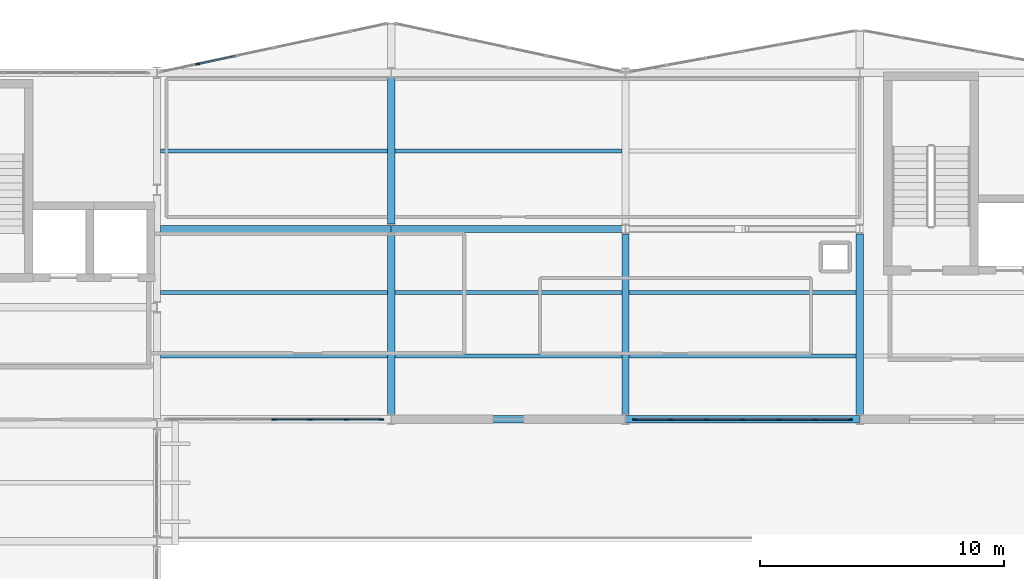
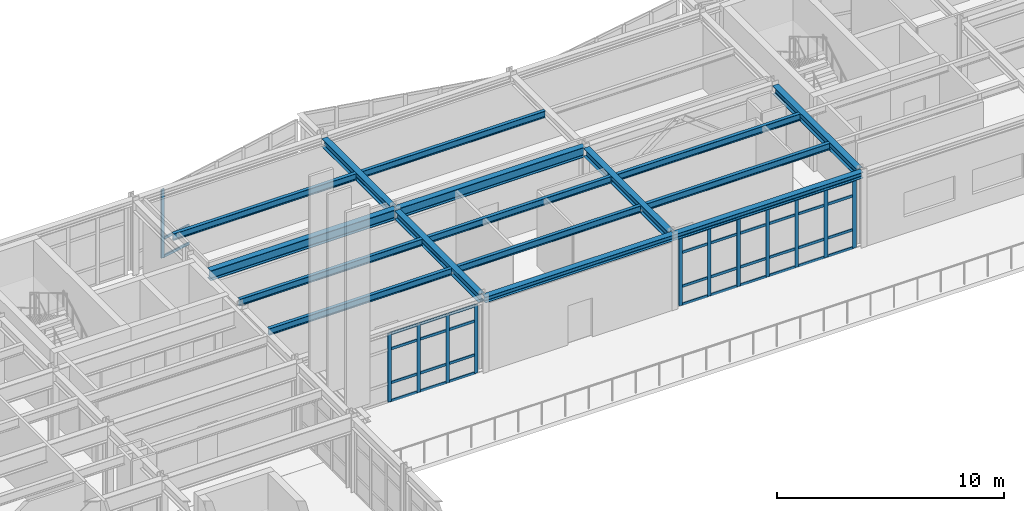
# One storey, part 22 of 47: 50 members, 16 beams, 3 elements without a shape of their own.
"""IFC4 building model written with IfcOpenShell, lengths in metres."""

from ifc_helpers import new_model, si_unit, direction, frame, origin, origin_2d, place, context, subcontext, project, spatial, rectangle, i_section, extrude, material, layer, layer_set, material_profile, profile_set, type_object, element, aggregate, save


model = new_model("IFC4")

# Units and contexts
model_context = context("Model", 3, precision=1e-05, world=origin(), true_north=direction((0.0, 1.0)))
body_context = subcontext(model_context, "Body", "Model", "MODEL_VIEW")
ifc_project = project(units=[si_unit("LENGTHUNIT", "METRE"), si_unit("AREAUNIT", "SQUARE_METRE"), si_unit("VOLUMEUNIT", "CUBIC_METRE"), si_unit("PLANEANGLEUNIT", "RADIAN"), si_unit("MASSUNIT", "GRAM", prefix="KILO")], contexts=[model_context])

# Site, building, storey
site_placement = place(None, origin())
site = spatial("IfcSite", under=ifc_project, at=site_placement, CompositionType="ELEMENT")
building_placement = place(site_placement, origin())
building = spatial("IfcBuilding", under=site, at=building_placement, Name="Nordkorset Police Headquarters", CompositionType="ELEMENT")
storey_placement = place(building_placement, frame((0.0, 0.0, 22.050048828125)))
storey = spatial("IfcBuildingStorey", under=building, at=storey_placement, Name="L05", CompositionType="ELEMENT", Elevation=22.050048828125)

# Beams
ifc_material_1 = material(Name="Steel S355J2", Category="steel")
ifc_material_profile_1 = material_profile(ifc_material_1, i_section(OverallWidth=0.169921875, OverallDepth=0.360107421875, WebThickness=0.008056640625, FlangeThickness=0.0126953125, FilletRadius=0.01806640625, at=origin_2d()), Name="IPE 360")
ifc_profile_set_1 = profile_set([ifc_material_profile_1], Name="Steel S355J2")
beam_type_1 = type_object("IfcBeamType", Name="Beam_IPE_360", PredefinedType="BEAM", material=ifc_profile_set_1)
for number, where, z_axis, x_axis, name in (
    (1, (28.949951171875, 105.199951171875, 3.820068359375), (1.0, 0.0, 0.0), (0.0, 1.0, 0.0), "Composite Floor Beam V2 L05 0-0-1"),
    (2, (28.949951171875, 107.800048828125, 3.820068359375), (1.0, 0.0, 0.0), (0.0, 1.0, 0.0), "Composite Floor Beam V2 L05 0-0-2"),
    (3, (28.949951171875, 113.60009765625, 3.820068359375), (1.0, 0.0, 0.0), (0.0, 1.0, 0.0), "Composite Floor Beam V2 L05 0-1-1"),
    (4, (38.550048828125, 105.199951171875, 3.820068359375), (1.0, 0.0, 0.0), (0.0, 1.0, 0.0), "Composite Floor Beam V2 L05 1-0-1"),
    (5, (38.550048828125, 107.800048828125, 3.820068359375), (1.0, 0.0, 0.0), (0.0, 1.0, 0.0), "Composite Floor Beam V2 L05 1-0-2"),
    (6, (38.550048828125, 113.60009765625, 3.820068359375), (1.0, 0.0, 0.0), (0.0, 1.0, 0.0), "Composite Floor Beam V2 L05 1-1-1"),
    (7, (48.14990234375, 105.199951171875, 3.820068359375), (1.0, 0.0, 0.0), (0.0, 1.0, 0.0), "Composite Floor Beam V2 L05 2-0-1"),
    (8, (48.14990234375, 107.800048828125, 3.820068359375), (1.0, 0.0, 0.0), (0.0, 1.0, 0.0), "Composite Floor Beam V2 L05 2-0-2"),
):
    element("IfcBeam", number, at=place(storey_placement, frame(where, z_axis=z_axis, x_axis=x_axis)), inside=storey, type_object=beam_type_1, Name=name, PredefinedType="BEAM", context=body_context, shape_type="SweptSolid", body=[
        extrude(i_section(OverallWidth=0.169921875, OverallDepth=0.360107421875, WebThickness=0.008056640625, FlangeThickness=0.0126953125, FilletRadius=0.01806640625, at=origin_2d()), origin(), (0.0, 0.0, 1.0), 9.300048828125),
    ])

# Curtain wall, member
ifc_material_2 = material(Name="Aluminium alloy AW-6060", Category="aluminium")
ifc_layer_1 = layer(ifc_material_2, 0.179931640625, Name="Aluminium alloy AW-6060")
ifc_layer_set_1 = layer_set([ifc_layer_1], Name="Aluminium alloy AW-6060")
curtain_wall_type_1 = type_object("IfcCurtainWallType", Name="CW_Unit_954x367", PredefinedType="USERDEFINED", material=ifc_layer_set_1)
curtain_wall_1_placement = place(storey_placement, origin())
curtain_wall_1 = element("IfcCurtainWall", 9, at=curtain_wall_1_placement, inside=storey, type_object=curtain_wall_type_1, Name="Unitised Curtain Wall L05 V2N-0", ObjectType="UNITISED CURTAIN WALL", PredefinedType="USERDEFINED")
ifc_material_3 = material(Name="Aluminium alloy AW-6060", Category="aluminium")
ifc_material_profile_2 = material_profile(ifc_material_3, rectangle(XDim=0.06494140625, YDim=0.179931640625, at=origin_2d()), Name="ALU MULL 65x180")
ifc_profile_set_2 = profile_set([ifc_material_profile_2], Name="Aluminium alloy AW-6060")
member_type_1 = type_object("IfcMemberType", Name="CW_Mullion_65x180", PredefinedType="MULLION", material=ifc_profile_set_2)
member_1_placement = place(storey_placement, frame((30.4912109375, 117.1611328125, 0.0), z_axis=(0.0, 0.0, 1.0), x_axis=(-0.208832534289, 0.977951416289, 0.0)))
member_1 = element("IfcMember", 10, at=member_1_placement, type_object=member_type_1, Name="CW-71 mullion 2", PredefinedType="MULLION", context=body_context, shape_type="SweptSolid", body=[
    extrude(rectangle(XDim=0.06494140625, YDim=0.179931640625, at=origin_2d()), origin(), (0.0, 0.0, 1.0), 3.669921875),
])

# Curtain wall, members
ifc_material_4 = material(Name="Aluminium alloy AW-6060", Category="aluminium")
ifc_layer_2 = layer(ifc_material_4, 0.179931640625, Name="Aluminium alloy AW-6060")
ifc_layer_set_2 = layer_set([ifc_layer_2], Name="Aluminium alloy AW-6060")
curtain_wall_type_2 = type_object("IfcCurtainWallType", Name="CW_Unit_888x367", PredefinedType="USERDEFINED", material=ifc_layer_set_2)
curtain_wall_2_placement = place(storey_placement, origin())
curtain_wall_2 = element("IfcCurtainWall", 11, at=curtain_wall_2_placement, inside=storey, type_object=curtain_wall_type_2, Name="Unitised Curtain Wall L05 V2S-0", ObjectType="UNITISED CURTAIN WALL", PredefinedType="USERDEFINED")
member_2_placement = place(storey_placement, frame((33.60009765625, 102.60009765625, 0.0), z_axis=(0.0, 0.0, 1.0), x_axis=(0.0, 1.0, 0.0)))
member_2 = element("IfcMember", 12, at=member_2_placement, type_object=member_type_1, Name="CW-91 mullion 4", PredefinedType="MULLION", context=body_context, shape_type="SweptSolid", body=[
    extrude(rectangle(XDim=0.06494140625, YDim=0.179931640625, at=origin_2d()), origin(), (0.0, 0.0, 1.0), 3.669921875),
])
member_3_placement = place(storey_placement, frame((35.080078125, 102.60009765625, 0.0), z_axis=(0.0, 0.0, 1.0), x_axis=(0.0, 1.0, 0.0)))
member_3 = element("IfcMember", 13, at=member_3_placement, type_object=member_type_1, Name="CW-91 mullion 5", PredefinedType="MULLION", context=body_context, shape_type="SweptSolid", body=[
    extrude(rectangle(XDim=0.06494140625, YDim=0.179931640625, at=origin_2d()), origin(), (0.0, 0.0, 1.0), 3.669921875),
])
member_4_placement = place(storey_placement, frame((36.56005859375, 102.60009765625, 0.0), z_axis=(0.0, 0.0, 1.0), x_axis=(0.0, 1.0, 0.0)))
member_4 = element("IfcMember", 14, at=member_4_placement, type_object=member_type_1, Name="CW-91 mullion 6", PredefinedType="MULLION", context=body_context, shape_type="SweptSolid", body=[
    extrude(rectangle(XDim=0.06494140625, YDim=0.179931640625, at=origin_2d()), origin(), (0.0, 0.0, 1.0), 3.669921875),
])
member_5_placement = place(storey_placement, frame((38.007568359375, 102.60009765625, 0.0), z_axis=(0.0, 0.0, 1.0), x_axis=(0.0, 1.0, 0.0)))
member_5 = element("IfcMember", 15, at=member_5_placement, type_object=member_type_1, Name="CW-91 mullion 7", PredefinedType="MULLION", context=body_context, shape_type="SweptSolid", body=[
    extrude(rectangle(XDim=0.06494140625, YDim=0.179931640625, at=origin_2d()), origin(), (0.0, 0.0, 1.0), 3.669921875),
])

curtain_wall_3_placement = place(storey_placement, origin())
curtain_wall_3 = element("IfcCurtainWall", 16, at=curtain_wall_3_placement, inside=storey, type_object=curtain_wall_type_2, Name="Unitised Curtain Wall L05 V2S-2", ObjectType="UNITISED CURTAIN WALL", PredefinedType="USERDEFINED")
member_6_placement = place(storey_placement, frame((48.392578125, 102.60009765625, 0.0), z_axis=(0.0, 0.0, 1.0), x_axis=(0.0, 1.0, 0.0)))
member_6 = element("IfcMember", 17, at=member_6_placement, type_object=member_type_1, Name="CW-91 mullion 1", PredefinedType="MULLION", context=body_context, shape_type="SweptSolid", body=[
    extrude(rectangle(XDim=0.06494140625, YDim=0.179931640625, at=origin_2d()), origin(), (0.0, 0.0, 1.0), 3.669921875),
])
member_7_placement = place(storey_placement, frame((49.840087890625, 102.60009765625, 0.0), z_axis=(0.0, 0.0, 1.0), x_axis=(0.0, 1.0, 0.0)))
member_7 = element("IfcMember", 18, at=member_7_placement, type_object=member_type_1, Name="CW-91 mullion 2", PredefinedType="MULLION", context=body_context, shape_type="SweptSolid", body=[
    extrude(rectangle(XDim=0.06494140625, YDim=0.179931640625, at=origin_2d()), origin(), (0.0, 0.0, 1.0), 3.669921875),
])
member_8_placement = place(storey_placement, frame((51.320068359375, 102.60009765625, 0.0), z_axis=(0.0, 0.0, 1.0), x_axis=(0.0, 1.0, 0.0)))
member_8 = element("IfcMember", 19, at=member_8_placement, type_object=member_type_1, Name="CW-91 mullion 3", PredefinedType="MULLION", context=body_context, shape_type="SweptSolid", body=[
    extrude(rectangle(XDim=0.06494140625, YDim=0.179931640625, at=origin_2d()), origin(), (0.0, 0.0, 1.0), 3.669921875),
])
member_9_placement = place(storey_placement, frame((52.800048828125, 102.60009765625, 0.0), z_axis=(0.0, 0.0, 1.0), x_axis=(0.0, 1.0, 0.0)))
member_9 = element("IfcMember", 20, at=member_9_placement, type_object=member_type_1, Name="CW-91 mullion 4", PredefinedType="MULLION", context=body_context, shape_type="SweptSolid", body=[
    extrude(rectangle(XDim=0.06494140625, YDim=0.179931640625, at=origin_2d()), origin(), (0.0, 0.0, 1.0), 3.669921875),
])
member_10_placement = place(storey_placement, frame((54.280029296875, 102.60009765625, 0.0), z_axis=(0.0, 0.0, 1.0), x_axis=(0.0, 1.0, 0.0)))
member_10 = element("IfcMember", 21, at=member_10_placement, type_object=member_type_1, Name="CW-91 mullion 5", PredefinedType="MULLION", context=body_context, shape_type="SweptSolid", body=[
    extrude(rectangle(XDim=0.06494140625, YDim=0.179931640625, at=origin_2d()), origin(), (0.0, 0.0, 1.0), 3.669921875),
])
member_11_placement = place(storey_placement, frame((55.760009765625, 102.60009765625, 0.0), z_axis=(0.0, 0.0, 1.0), x_axis=(0.0, 1.0, 0.0)))
member_11 = element("IfcMember", 22, at=member_11_placement, type_object=member_type_1, Name="CW-91 mullion 6", PredefinedType="MULLION", context=body_context, shape_type="SweptSolid", body=[
    extrude(rectangle(XDim=0.06494140625, YDim=0.179931640625, at=origin_2d()), origin(), (0.0, 0.0, 1.0), 3.669921875),
])
member_12_placement = place(storey_placement, frame((57.20751953125, 102.60009765625, 0.0), z_axis=(0.0, 0.0, 1.0), x_axis=(0.0, 1.0, 0.0)))
member_12 = element("IfcMember", 23, at=member_12_placement, type_object=member_type_1, Name="CW-91 mullion 7", PredefinedType="MULLION", context=body_context, shape_type="SweptSolid", body=[
    extrude(rectangle(XDim=0.06494140625, YDim=0.179931640625, at=origin_2d()), origin(), (0.0, 0.0, 1.0), 3.669921875),
])

# Member
ifc_material_5 = material(Name="Aluminium alloy AW-6060", Category="aluminium")
ifc_material_profile_3 = material_profile(ifc_material_5, rectangle(XDim=0.06494140625, YDim=0.139892578125, at=origin_2d()), Name="ALU TRAN 65x140")
ifc_profile_set_3 = profile_set([ifc_material_profile_3], Name="Aluminium alloy AW-6060")
member_type_2 = type_object("IfcMemberType", Name="CW_Transom_65x140", PredefinedType="USERDEFINED", material=ifc_profile_set_3)
member_13_placement = place(storey_placement, frame((30.52294921875, 117.16796875, 0.032470703125), z_axis=(0.977954480787, 0.208818182896, 0.0), x_axis=(-0.208818182896, 0.977954480787, 0.0)))
member_13 = element("IfcMember", 24, at=member_13_placement, type_object=member_type_2, Name="CW-71 transom 2.1", ObjectType="TRANSOM", PredefinedType="USERDEFINED", context=body_context, shape_type="SweptSolid", body=[
    extrude(rectangle(XDim=0.06494140625, YDim=0.139892578125, at=origin_2d()), origin(), (0.0, 0.0, 1.0), 1.524658203125),
])

member_14_placement = place(storey_placement, frame((30.52294921875, 117.16796875, 1.0), z_axis=(0.977954480787, 0.208818182896, 0.0), x_axis=(-0.208818182896, 0.977954480787, 0.0)))
member_14 = element("IfcMember", 25, at=member_14_placement, type_object=member_type_2, Name="CW-71 transom 2.2", ObjectType="TRANSOM", PredefinedType="USERDEFINED", context=body_context, shape_type="SweptSolid", body=[
    extrude(rectangle(XDim=0.06494140625, YDim=0.139892578125, at=origin_2d()), origin(), (0.0, 0.0, 1.0), 1.524658203125),
])

aggregate(curtain_wall_1, [member_1, member_13, member_14])

member_15_placement = place(storey_placement, frame((33.632568359375, 102.60009765625, 0.032470703125), z_axis=(1.0, 0.0, 0.0), x_axis=(0.0, 1.0, 0.0)))
member_15 = element("IfcMember", 26, at=member_15_placement, type_object=member_type_2, Name="CW-91 transom 4.1", ObjectType="TRANSOM", PredefinedType="USERDEFINED", context=body_context, shape_type="SweptSolid", body=[
    extrude(rectangle(XDim=0.06494140625, YDim=0.139892578125, at=origin_2d()), origin(), (0.0, 0.0, 1.0), 1.4150390625),
])

member_16_placement = place(storey_placement, frame((33.632568359375, 102.60009765625, 1.0), z_axis=(1.0, 0.0, 0.0), x_axis=(0.0, 1.0, 0.0)))
member_16 = element("IfcMember", 27, at=member_16_placement, type_object=member_type_2, Name="CW-91 transom 4.2", ObjectType="TRANSOM", PredefinedType="USERDEFINED", context=body_context, shape_type="SweptSolid", body=[
    extrude(rectangle(XDim=0.06494140625, YDim=0.139892578125, at=origin_2d()), origin(), (0.0, 0.0, 1.0), 1.4150390625),
])

member_17_placement = place(storey_placement, frame((33.632568359375, 102.60009765625, 2.820068359375), z_axis=(1.0, 0.0, 0.0), x_axis=(0.0, 1.0, 0.0)))
member_17 = element("IfcMember", 28, at=member_17_placement, type_object=member_type_2, Name="CW-91 transom 4.3", ObjectType="TRANSOM", PredefinedType="USERDEFINED", context=body_context, shape_type="SweptSolid", body=[
    extrude(rectangle(XDim=0.06494140625, YDim=0.139892578125, at=origin_2d()), origin(), (0.0, 0.0, 1.0), 1.4150390625),
])

member_18_placement = place(storey_placement, frame((33.632568359375, 102.60009765625, 3.637451171875), z_axis=(1.0, 0.0, 0.0), x_axis=(0.0, 1.0, 0.0)))
member_18 = element("IfcMember", 29, at=member_18_placement, type_object=member_type_2, Name="CW-91 transom 4.4", ObjectType="TRANSOM", PredefinedType="USERDEFINED", context=body_context, shape_type="SweptSolid", body=[
    extrude(rectangle(XDim=0.06494140625, YDim=0.139892578125, at=origin_2d()), origin(), (0.0, 0.0, 1.0), 1.4150390625),
])

member_19_placement = place(storey_placement, frame((35.112548828125, 102.60009765625, 0.032470703125), z_axis=(1.0, 0.0, 0.0), x_axis=(0.0, 1.0, 0.0)))
member_19 = element("IfcMember", 30, at=member_19_placement, type_object=member_type_2, Name="CW-91 transom 5.1", ObjectType="TRANSOM", PredefinedType="USERDEFINED", context=body_context, shape_type="SweptSolid", body=[
    extrude(rectangle(XDim=0.06494140625, YDim=0.139892578125, at=origin_2d()), origin(), (0.0, 0.0, 1.0), 1.4150390625),
])

member_20_placement = place(storey_placement, frame((35.112548828125, 102.60009765625, 1.0), z_axis=(1.0, 0.0, 0.0), x_axis=(0.0, 1.0, 0.0)))
member_20 = element("IfcMember", 31, at=member_20_placement, type_object=member_type_2, Name="CW-91 transom 5.2", ObjectType="TRANSOM", PredefinedType="USERDEFINED", context=body_context, shape_type="SweptSolid", body=[
    extrude(rectangle(XDim=0.06494140625, YDim=0.139892578125, at=origin_2d()), origin(), (0.0, 0.0, 1.0), 1.4150390625),
])

member_21_placement = place(storey_placement, frame((35.112548828125, 102.60009765625, 2.820068359375), z_axis=(1.0, 0.0, 0.0), x_axis=(0.0, 1.0, 0.0)))
member_21 = element("IfcMember", 32, at=member_21_placement, type_object=member_type_2, Name="CW-91 transom 5.3", ObjectType="TRANSOM", PredefinedType="USERDEFINED", context=body_context, shape_type="SweptSolid", body=[
    extrude(rectangle(XDim=0.06494140625, YDim=0.139892578125, at=origin_2d()), origin(), (0.0, 0.0, 1.0), 1.4150390625),
])

member_22_placement = place(storey_placement, frame((35.112548828125, 102.60009765625, 3.637451171875), z_axis=(1.0, 0.0, 0.0), x_axis=(0.0, 1.0, 0.0)))
member_22 = element("IfcMember", 33, at=member_22_placement, type_object=member_type_2, Name="CW-91 transom 5.4", ObjectType="TRANSOM", PredefinedType="USERDEFINED", context=body_context, shape_type="SweptSolid", body=[
    extrude(rectangle(XDim=0.06494140625, YDim=0.139892578125, at=origin_2d()), origin(), (0.0, 0.0, 1.0), 1.4150390625),
])

member_23_placement = place(storey_placement, frame((36.592529296875, 102.60009765625, 0.032470703125), z_axis=(1.0, 0.0, 0.0), x_axis=(0.0, 1.0, 0.0)))
member_23 = element("IfcMember", 34, at=member_23_placement, type_object=member_type_2, Name="CW-91 transom 6.1", ObjectType="TRANSOM", PredefinedType="USERDEFINED", context=body_context, shape_type="SweptSolid", body=[
    extrude(rectangle(XDim=0.06494140625, YDim=0.139892578125, at=origin_2d()), origin(), (0.0, 0.0, 1.0), 1.382568359375),
])

member_24_placement = place(storey_placement, frame((36.592529296875, 102.60009765625, 1.0), z_axis=(1.0, 0.0, 0.0), x_axis=(0.0, 1.0, 0.0)))
member_24 = element("IfcMember", 35, at=member_24_placement, type_object=member_type_2, Name="CW-91 transom 6.2", ObjectType="TRANSOM", PredefinedType="USERDEFINED", context=body_context, shape_type="SweptSolid", body=[
    extrude(rectangle(XDim=0.06494140625, YDim=0.139892578125, at=origin_2d()), origin(), (0.0, 0.0, 1.0), 1.382568359375),
])

member_25_placement = place(storey_placement, frame((36.592529296875, 102.60009765625, 2.820068359375), z_axis=(1.0, 0.0, 0.0), x_axis=(0.0, 1.0, 0.0)))
member_25 = element("IfcMember", 36, at=member_25_placement, type_object=member_type_2, Name="CW-91 transom 6.3", ObjectType="TRANSOM", PredefinedType="USERDEFINED", context=body_context, shape_type="SweptSolid", body=[
    extrude(rectangle(XDim=0.06494140625, YDim=0.139892578125, at=origin_2d()), origin(), (0.0, 0.0, 1.0), 1.382568359375),
])

member_26_placement = place(storey_placement, frame((36.592529296875, 102.60009765625, 3.637451171875), z_axis=(1.0, 0.0, 0.0), x_axis=(0.0, 1.0, 0.0)))
member_26 = element("IfcMember", 37, at=member_26_placement, type_object=member_type_2, Name="CW-91 transom 6.4", ObjectType="TRANSOM", PredefinedType="USERDEFINED", context=body_context, shape_type="SweptSolid", body=[
    extrude(rectangle(XDim=0.06494140625, YDim=0.139892578125, at=origin_2d()), origin(), (0.0, 0.0, 1.0), 1.382568359375),
])

aggregate(curtain_wall_2, [member_2, member_3, member_4, member_5, member_15, member_16, member_17, member_18, member_19, member_20, member_21, member_22, member_23, member_24, member_25, member_26])

member_27_placement = place(storey_placement, frame((48.425048828125, 102.60009765625, 0.032470703125), z_axis=(1.0, 0.0, 0.0), x_axis=(0.0, 1.0, 0.0)))
member_27 = element("IfcMember", 38, at=member_27_placement, type_object=member_type_2, Name="CW-91 transom 1.1", ObjectType="TRANSOM", PredefinedType="USERDEFINED", context=body_context, shape_type="SweptSolid", body=[
    extrude(rectangle(XDim=0.06494140625, YDim=0.139892578125, at=origin_2d()), origin(), (0.0, 0.0, 1.0), 1.382568359375),
])

member_28_placement = place(storey_placement, frame((48.425048828125, 102.60009765625, 1.0), z_axis=(1.0, 0.0, 0.0), x_axis=(0.0, 1.0, 0.0)))
member_28 = element("IfcMember", 39, at=member_28_placement, type_object=member_type_2, Name="CW-91 transom 1.2", ObjectType="TRANSOM", PredefinedType="USERDEFINED", context=body_context, shape_type="SweptSolid", body=[
    extrude(rectangle(XDim=0.06494140625, YDim=0.139892578125, at=origin_2d()), origin(), (0.0, 0.0, 1.0), 1.382568359375),
])

member_29_placement = place(storey_placement, frame((48.425048828125, 102.60009765625, 2.820068359375), z_axis=(1.0, 0.0, 0.0), x_axis=(0.0, 1.0, 0.0)))
member_29 = element("IfcMember", 40, at=member_29_placement, type_object=member_type_2, Name="CW-91 transom 1.3", ObjectType="TRANSOM", PredefinedType="USERDEFINED", context=body_context, shape_type="SweptSolid", body=[
    extrude(rectangle(XDim=0.06494140625, YDim=0.139892578125, at=origin_2d()), origin(), (0.0, 0.0, 1.0), 1.382568359375),
])

member_30_placement = place(storey_placement, frame((48.425048828125, 102.60009765625, 3.637451171875), z_axis=(1.0, 0.0, 0.0), x_axis=(0.0, 1.0, 0.0)))
member_30 = element("IfcMember", 41, at=member_30_placement, type_object=member_type_2, Name="CW-91 transom 1.4", ObjectType="TRANSOM", PredefinedType="USERDEFINED", context=body_context, shape_type="SweptSolid", body=[
    extrude(rectangle(XDim=0.06494140625, YDim=0.139892578125, at=origin_2d()), origin(), (0.0, 0.0, 1.0), 1.382568359375),
])

member_31_placement = place(storey_placement, frame((49.87255859375, 102.60009765625, 0.032470703125), z_axis=(1.0, 0.0, 0.0), x_axis=(0.0, 1.0, 0.0)))
member_31 = element("IfcMember", 42, at=member_31_placement, type_object=member_type_2, Name="CW-91 transom 2.1", ObjectType="TRANSOM", PredefinedType="USERDEFINED", context=body_context, shape_type="SweptSolid", body=[
    extrude(rectangle(XDim=0.06494140625, YDim=0.139892578125, at=origin_2d()), origin(), (0.0, 0.0, 1.0), 1.4150390625),
])

member_32_placement = place(storey_placement, frame((49.87255859375, 102.60009765625, 1.0), z_axis=(1.0, 0.0, 0.0), x_axis=(0.0, 1.0, 0.0)))
member_32 = element("IfcMember", 43, at=member_32_placement, type_object=member_type_2, Name="CW-91 transom 2.2", ObjectType="TRANSOM", PredefinedType="USERDEFINED", context=body_context, shape_type="SweptSolid", body=[
    extrude(rectangle(XDim=0.06494140625, YDim=0.139892578125, at=origin_2d()), origin(), (0.0, 0.0, 1.0), 1.4150390625),
])

member_33_placement = place(storey_placement, frame((49.87255859375, 102.60009765625, 2.820068359375), z_axis=(1.0, 0.0, 0.0), x_axis=(0.0, 1.0, 0.0)))
member_33 = element("IfcMember", 44, at=member_33_placement, type_object=member_type_2, Name="CW-91 transom 2.3", ObjectType="TRANSOM", PredefinedType="USERDEFINED", context=body_context, shape_type="SweptSolid", body=[
    extrude(rectangle(XDim=0.06494140625, YDim=0.139892578125, at=origin_2d()), origin(), (0.0, 0.0, 1.0), 1.4150390625),
])

member_34_placement = place(storey_placement, frame((49.87255859375, 102.60009765625, 3.637451171875), z_axis=(1.0, 0.0, 0.0), x_axis=(0.0, 1.0, 0.0)))
member_34 = element("IfcMember", 45, at=member_34_placement, type_object=member_type_2, Name="CW-91 transom 2.4", ObjectType="TRANSOM", PredefinedType="USERDEFINED", context=body_context, shape_type="SweptSolid", body=[
    extrude(rectangle(XDim=0.06494140625, YDim=0.139892578125, at=origin_2d()), origin(), (0.0, 0.0, 1.0), 1.4150390625),
])

member_35_placement = place(storey_placement, frame((51.3525390625, 102.60009765625, 0.032470703125), z_axis=(1.0, 0.0, 0.0), x_axis=(0.0, 1.0, 0.0)))
member_35 = element("IfcMember", 46, at=member_35_placement, type_object=member_type_2, Name="CW-91 transom 3.1", ObjectType="TRANSOM", PredefinedType="USERDEFINED", context=body_context, shape_type="SweptSolid", body=[
    extrude(rectangle(XDim=0.06494140625, YDim=0.139892578125, at=origin_2d()), origin(), (0.0, 0.0, 1.0), 1.4150390625),
])

member_36_placement = place(storey_placement, frame((51.3525390625, 102.60009765625, 1.0), z_axis=(1.0, 0.0, 0.0), x_axis=(0.0, 1.0, 0.0)))
member_36 = element("IfcMember", 47, at=member_36_placement, type_object=member_type_2, Name="CW-91 transom 3.2", ObjectType="TRANSOM", PredefinedType="USERDEFINED", context=body_context, shape_type="SweptSolid", body=[
    extrude(rectangle(XDim=0.06494140625, YDim=0.139892578125, at=origin_2d()), origin(), (0.0, 0.0, 1.0), 1.4150390625),
])

member_37_placement = place(storey_placement, frame((51.3525390625, 102.60009765625, 2.820068359375), z_axis=(1.0, 0.0, 0.0), x_axis=(0.0, 1.0, 0.0)))
member_37 = element("IfcMember", 48, at=member_37_placement, type_object=member_type_2, Name="CW-91 transom 3.3", ObjectType="TRANSOM", PredefinedType="USERDEFINED", context=body_context, shape_type="SweptSolid", body=[
    extrude(rectangle(XDim=0.06494140625, YDim=0.139892578125, at=origin_2d()), origin(), (0.0, 0.0, 1.0), 1.4150390625),
])

member_38_placement = place(storey_placement, frame((51.3525390625, 102.60009765625, 3.637451171875), z_axis=(1.0, 0.0, 0.0), x_axis=(0.0, 1.0, 0.0)))
member_38 = element("IfcMember", 49, at=member_38_placement, type_object=member_type_2, Name="CW-91 transom 3.4", ObjectType="TRANSOM", PredefinedType="USERDEFINED", context=body_context, shape_type="SweptSolid", body=[
    extrude(rectangle(XDim=0.06494140625, YDim=0.139892578125, at=origin_2d()), origin(), (0.0, 0.0, 1.0), 1.4150390625),
])

member_39_placement = place(storey_placement, frame((52.83251953125, 102.60009765625, 0.032470703125), z_axis=(1.0, 0.0, 0.0), x_axis=(0.0, 1.0, 0.0)))
member_39 = element("IfcMember", 50, at=member_39_placement, type_object=member_type_2, Name="CW-91 transom 4.1", ObjectType="TRANSOM", PredefinedType="USERDEFINED", context=body_context, shape_type="SweptSolid", body=[
    extrude(rectangle(XDim=0.06494140625, YDim=0.139892578125, at=origin_2d()), origin(), (0.0, 0.0, 1.0), 1.4150390625),
])

member_40_placement = place(storey_placement, frame((52.83251953125, 102.60009765625, 1.0), z_axis=(1.0, 0.0, 0.0), x_axis=(0.0, 1.0, 0.0)))
member_40 = element("IfcMember", 51, at=member_40_placement, type_object=member_type_2, Name="CW-91 transom 4.2", ObjectType="TRANSOM", PredefinedType="USERDEFINED", context=body_context, shape_type="SweptSolid", body=[
    extrude(rectangle(XDim=0.06494140625, YDim=0.139892578125, at=origin_2d()), origin(), (0.0, 0.0, 1.0), 1.4150390625),
])

member_41_placement = place(storey_placement, frame((52.83251953125, 102.60009765625, 2.820068359375), z_axis=(1.0, 0.0, 0.0), x_axis=(0.0, 1.0, 0.0)))
member_41 = element("IfcMember", 52, at=member_41_placement, type_object=member_type_2, Name="CW-91 transom 4.3", ObjectType="TRANSOM", PredefinedType="USERDEFINED", context=body_context, shape_type="SweptSolid", body=[
    extrude(rectangle(XDim=0.06494140625, YDim=0.139892578125, at=origin_2d()), origin(), (0.0, 0.0, 1.0), 1.4150390625),
])

member_42_placement = place(storey_placement, frame((52.83251953125, 102.60009765625, 3.637451171875), z_axis=(1.0, 0.0, 0.0), x_axis=(0.0, 1.0, 0.0)))
member_42 = element("IfcMember", 53, at=member_42_placement, type_object=member_type_2, Name="CW-91 transom 4.4", ObjectType="TRANSOM", PredefinedType="USERDEFINED", context=body_context, shape_type="SweptSolid", body=[
    extrude(rectangle(XDim=0.06494140625, YDim=0.139892578125, at=origin_2d()), origin(), (0.0, 0.0, 1.0), 1.4150390625),
])

member_43_placement = place(storey_placement, frame((54.3125, 102.60009765625, 0.032470703125), z_axis=(1.0, 0.0, 0.0), x_axis=(0.0, 1.0, 0.0)))
member_43 = element("IfcMember", 54, at=member_43_placement, type_object=member_type_2, Name="CW-91 transom 5.1", ObjectType="TRANSOM", PredefinedType="USERDEFINED", context=body_context, shape_type="SweptSolid", body=[
    extrude(rectangle(XDim=0.06494140625, YDim=0.139892578125, at=origin_2d()), origin(), (0.0, 0.0, 1.0), 1.4150390625),
])

member_44_placement = place(storey_placement, frame((54.3125, 102.60009765625, 1.0), z_axis=(1.0, 0.0, 0.0), x_axis=(0.0, 1.0, 0.0)))
member_44 = element("IfcMember", 55, at=member_44_placement, type_object=member_type_2, Name="CW-91 transom 5.2", ObjectType="TRANSOM", PredefinedType="USERDEFINED", context=body_context, shape_type="SweptSolid", body=[
    extrude(rectangle(XDim=0.06494140625, YDim=0.139892578125, at=origin_2d()), origin(), (0.0, 0.0, 1.0), 1.4150390625),
])

member_45_placement = place(storey_placement, frame((54.3125, 102.60009765625, 2.820068359375), z_axis=(1.0, 0.0, 0.0), x_axis=(0.0, 1.0, 0.0)))
member_45 = element("IfcMember", 56, at=member_45_placement, type_object=member_type_2, Name="CW-91 transom 5.3", ObjectType="TRANSOM", PredefinedType="USERDEFINED", context=body_context, shape_type="SweptSolid", body=[
    extrude(rectangle(XDim=0.06494140625, YDim=0.139892578125, at=origin_2d()), origin(), (0.0, 0.0, 1.0), 1.4150390625),
])

member_46_placement = place(storey_placement, frame((54.3125, 102.60009765625, 3.637451171875), z_axis=(1.0, 0.0, 0.0), x_axis=(0.0, 1.0, 0.0)))
member_46 = element("IfcMember", 57, at=member_46_placement, type_object=member_type_2, Name="CW-91 transom 5.4", ObjectType="TRANSOM", PredefinedType="USERDEFINED", context=body_context, shape_type="SweptSolid", body=[
    extrude(rectangle(XDim=0.06494140625, YDim=0.139892578125, at=origin_2d()), origin(), (0.0, 0.0, 1.0), 1.4150390625),
])

member_47_placement = place(storey_placement, frame((55.79248046875, 102.60009765625, 0.032470703125), z_axis=(1.0, 0.0, 0.0), x_axis=(0.0, 1.0, 0.0)))
member_47 = element("IfcMember", 58, at=member_47_placement, type_object=member_type_2, Name="CW-91 transom 6.1", ObjectType="TRANSOM", PredefinedType="USERDEFINED", context=body_context, shape_type="SweptSolid", body=[
    extrude(rectangle(XDim=0.06494140625, YDim=0.139892578125, at=origin_2d()), origin(), (0.0, 0.0, 1.0), 1.382568359375),
])

member_48_placement = place(storey_placement, frame((55.79248046875, 102.60009765625, 1.0), z_axis=(1.0, 0.0, 0.0), x_axis=(0.0, 1.0, 0.0)))
member_48 = element("IfcMember", 59, at=member_48_placement, type_object=member_type_2, Name="CW-91 transom 6.2", ObjectType="TRANSOM", PredefinedType="USERDEFINED", context=body_context, shape_type="SweptSolid", body=[
    extrude(rectangle(XDim=0.06494140625, YDim=0.139892578125, at=origin_2d()), origin(), (0.0, 0.0, 1.0), 1.382568359375),
])

member_49_placement = place(storey_placement, frame((55.79248046875, 102.60009765625, 2.820068359375), z_axis=(1.0, 0.0, 0.0), x_axis=(0.0, 1.0, 0.0)))
member_49 = element("IfcMember", 60, at=member_49_placement, type_object=member_type_2, Name="CW-91 transom 6.3", ObjectType="TRANSOM", PredefinedType="USERDEFINED", context=body_context, shape_type="SweptSolid", body=[
    extrude(rectangle(XDim=0.06494140625, YDim=0.139892578125, at=origin_2d()), origin(), (0.0, 0.0, 1.0), 1.382568359375),
])

member_50_placement = place(storey_placement, frame((55.79248046875, 102.60009765625, 3.637451171875), z_axis=(1.0, 0.0, 0.0), x_axis=(0.0, 1.0, 0.0)))
member_50 = element("IfcMember", 61, at=member_50_placement, type_object=member_type_2, Name="CW-91 transom 6.4", ObjectType="TRANSOM", PredefinedType="USERDEFINED", context=body_context, shape_type="SweptSolid", body=[
    extrude(rectangle(XDim=0.06494140625, YDim=0.139892578125, at=origin_2d()), origin(), (0.0, 0.0, 1.0), 1.382568359375),
])

aggregate(curtain_wall_3, [member_6, member_7, member_8, member_9, member_10, member_11, member_12, member_27, member_28, member_29, member_30, member_31, member_32, member_33, member_34, member_35, member_36, member_37, member_38, member_39, member_40, member_41, member_42, member_43, member_44, member_45, member_46, member_47, member_48, member_49, member_50])

# Beams
ifc_material_6 = material(Name="Steel S355J2", Category="steel")
ifc_material_profile_4 = material_profile(ifc_material_6, i_section(OverallWidth=0.300048828125, OverallDepth=0.43994140625, WebThickness=0.011474609375, FlangeThickness=0.02099609375, FilletRadius=0.027099609375, at=origin_2d()), Name="HEA 450")
ifc_profile_set_4 = profile_set([ifc_material_profile_4], Name="Steel S355J2")
beam_type_2 = type_object("IfcBeamType", Name="Girder_HEA_450", PredefinedType="USERDEFINED", material=ifc_profile_set_4)
beam_1_placement = place(storey_placement, frame((38.39990234375, 102.800048828125, 3.780029296875), z_axis=(0.0, 1.0, 0.0), x_axis=(-1.0, 0.0, 0.0)))
element("IfcBeam", 62, at=beam_1_placement, inside=storey, type_object=beam_type_2, Name="Girder V2 L05 GY-1-0", ObjectType="GIRDER", PredefinedType="USERDEFINED", context=body_context, shape_type="SweptSolid", body=[
    extrude(i_section(OverallWidth=0.300048828125, OverallDepth=0.43994140625, WebThickness=0.011474609375, FlangeThickness=0.02099609375, FilletRadius=0.027099609375, at=origin_2d()), origin(), (0.0, 0.0, 1.0), 7.39990234375),
])
beam_2_placement = place(storey_placement, frame((38.39990234375, 110.60009765625, 3.780029296875), z_axis=(0.0, 1.0, 0.0), x_axis=(-1.0, 0.0, 0.0)))
element("IfcBeam", 63, at=beam_2_placement, inside=storey, type_object=beam_type_2, Name="Girder V2 L05 GY-1-1", ObjectType="GIRDER", PredefinedType="USERDEFINED", context=body_context, shape_type="SweptSolid", body=[
    extrude(i_section(OverallWidth=0.300048828125, OverallDepth=0.43994140625, WebThickness=0.011474609375, FlangeThickness=0.02099609375, FilletRadius=0.027099609375, at=origin_2d()), origin(), (0.0, 0.0, 1.0), 6.0),
])
for number, where, z_axis, x_axis, name in (
    (64, (48.0, 102.800048828125, 3.780029296875), (0.0, 1.0, 0.0), (-1.0, 0.0, 0.0), "Girder V2 L05 GY-2-0"),
    (65, (57.60009765625, 102.800048828125, 3.780029296875), (0.0, 1.0, 0.0), (-1.0, 0.0, 0.0), "Girder V2 L05 GY-3-0"),
):
    element("IfcBeam", number, at=place(storey_placement, frame(where, z_axis=z_axis, x_axis=x_axis)), inside=storey, type_object=beam_type_2, Name=name, ObjectType="GIRDER", PredefinedType="USERDEFINED", context=body_context, shape_type="SweptSolid", body=[
        extrude(i_section(OverallWidth=0.300048828125, OverallDepth=0.43994140625, WebThickness=0.011474609375, FlangeThickness=0.02099609375, FilletRadius=0.027099609375, at=origin_2d()), origin(), (0.0, 0.0, 1.0), 7.39990234375),
    ])
ifc_material_7 = material(Name="Steel S355J2", Category="steel")
ifc_material_profile_5 = material_profile(ifc_material_7, i_section(OverallWidth=0.300048828125, OverallDepth=0.5400390625, WebThickness=0.012451171875, FlangeThickness=0.02392578125, FilletRadius=0.027099609375, at=origin_2d()), Name="HEA 550")
ifc_profile_set_5 = profile_set([ifc_material_profile_5], Name="Steel S355J2")
beam_type_3 = type_object("IfcBeamType", Name="Girder_HEA_550", PredefinedType="USERDEFINED", material=ifc_profile_set_5)
beam_3_placement = place(storey_placement, frame((28.949951171875, 110.39990234375, 3.72998046875), z_axis=(1.0, 0.0, 0.0), x_axis=(0.0, 1.0, 0.0)))
element("IfcBeam", 66, at=beam_3_placement, inside=storey, type_object=beam_type_3, Name="Girder V2 L05 GX-1-0", ObjectType="GIRDER", PredefinedType="USERDEFINED", context=body_context, shape_type="SweptSolid", body=[
    extrude(i_section(OverallWidth=0.300048828125, OverallDepth=0.5400390625, WebThickness=0.012451171875, FlangeThickness=0.02392578125, FilletRadius=0.027099609375, at=origin_2d()), origin(), (0.0, 0.0, 1.0), 9.443359375),
])
beam_4_placement = place(storey_placement, frame((38.40673828125, 110.39990234375, 3.72998046875), z_axis=(1.0, 0.0, 0.0), x_axis=(0.0, 1.0, 0.0)))
element("IfcBeam", 67, at=beam_4_placement, inside=storey, type_object=beam_type_3, Name="Girder V2 L05 GX-1-1", ObjectType="GIRDER", PredefinedType="USERDEFINED", context=body_context, shape_type="SweptSolid", body=[
    extrude(i_section(OverallWidth=0.300048828125, OverallDepth=0.5400390625, WebThickness=0.012451171875, FlangeThickness=0.02392578125, FilletRadius=0.027099609375, at=origin_2d()), origin(), (0.0, 0.0, 1.0), 9.586669921875),
])
ifc_material_8 = material(Name="Steel S355J2", Category="steel")
ifc_material_profile_6 = material_profile(ifc_material_8, i_section(OverallWidth=0.300048828125, OverallDepth=0.31005859375, WebThickness=0.009033203125, FlangeThickness=0.015380859375, FilletRadius=0.027099609375, at=origin_2d()), Name="HEA 320")
ifc_profile_set_6 = profile_set([ifc_material_profile_6], Name="Steel S355J2")
beam_type_4 = type_object("IfcBeamType", Name="Spandrel_HEA_320", PredefinedType="SPANDREL", material=ifc_profile_set_6)
for number, where, z_axis, x_axis, name in (
    (68, (38.40673828125, 102.60009765625, 3.844970703125), (1.0, 0.0, 0.0), (0.0, 1.0, 0.0), "Girder V2 L05 GX-0-1"),
    (69, (48.006591796875, 102.60009765625, 3.844970703125), (1.0, 0.0, 0.0), (0.0, 1.0, 0.0), "Girder V2 L05 GX-0-2"),
):
    element("IfcBeam", number, at=place(storey_placement, frame(where, z_axis=z_axis, x_axis=x_axis)), inside=storey, type_object=beam_type_4, Name=name, PredefinedType="SPANDREL", context=body_context, shape_type="SweptSolid", body=[
        extrude(i_section(OverallWidth=0.300048828125, OverallDepth=0.31005859375, WebThickness=0.009033203125, FlangeThickness=0.015380859375, FilletRadius=0.027099609375, at=origin_2d()), origin(), (0.0, 0.0, 1.0), 9.586669921875),
    ])

save(model, "model.ifc")
